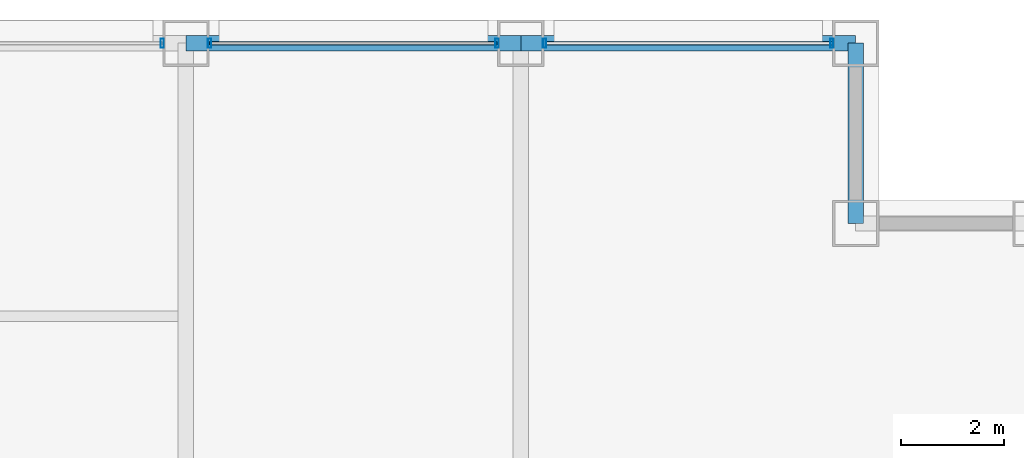
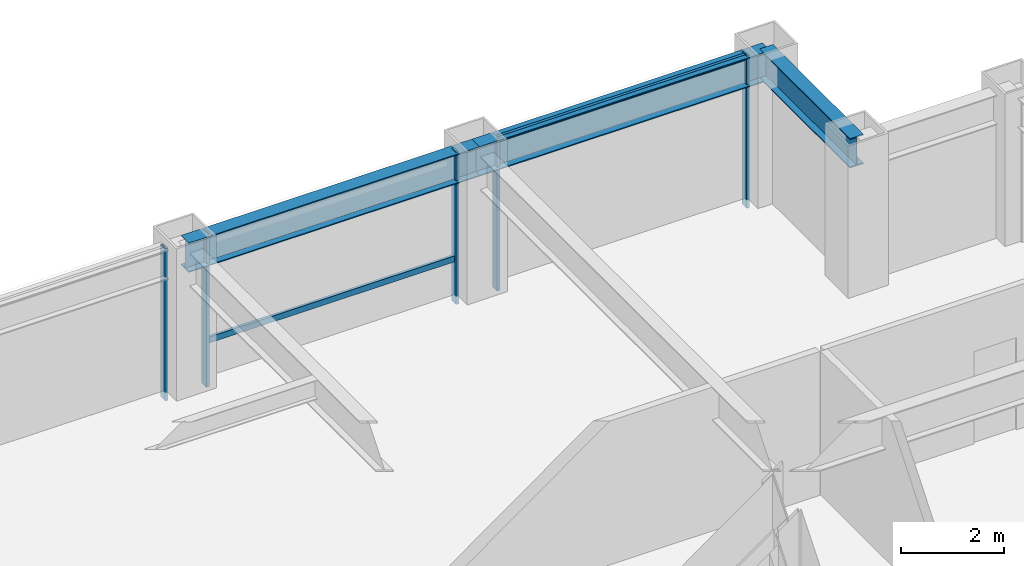
# One storey, part 21 of 29: 7 members, 3 beams, 3 elements without a shape of their own.
"""IFC4 building model written with IfcOpenShell, lengths in metres."""

from ifc_helpers import new_model, si_unit, direction, frame, origin, origin_2d, place, context, subcontext, project, spatial, hollow_rectangle, i_section, extrude, material, layer, layer_set, material_profile, profile_set, type_object, element, aggregate, save


model = new_model("IFC4")

# Units and contexts
model_context = context("Model", 3, precision=1e-05, world=origin(), true_north=direction((0.0, 1.0)))
body_context = subcontext(model_context, "Body", "Model", "MODEL_VIEW")
ifc_project = project(units=[si_unit("LENGTHUNIT", "METRE"), si_unit("AREAUNIT", "SQUARE_METRE"), si_unit("VOLUMEUNIT", "CUBIC_METRE"), si_unit("PLANEANGLEUNIT", "RADIAN"), si_unit("MASSUNIT", "GRAM", prefix="KILO")], contexts=[model_context])

# Site, building, storey
site_placement = place(None, origin())
site = spatial("IfcSite", under=ifc_project, at=site_placement, CompositionType="ELEMENT")
building_placement = place(site_placement, origin())
building = spatial("IfcBuilding", under=site, at=building_placement, Name="Brelmoor Portico Tower", CompositionType="ELEMENT")
storey_placement = place(building_placement, frame((0.0, 0.0, 60.0)))
storey = spatial("IfcBuildingStorey", under=building, at=storey_placement, Name="L15", CompositionType="ELEMENT", Elevation=60.0)

# Beams
ifc_material_1 = material(Name="Steel Q355B", Category="steel")
ifc_material_profile_1 = material_profile(ifc_material_1, i_section(OverallWidth=0.300048828125, OverallDepth=0.699951171875, WebThickness=0.012939453125, FlangeThickness=0.02392578125, at=origin_2d()), Name="HN 700x300x13x24")
ifc_profile_set_1 = profile_set([ifc_material_profile_1], Name="Steel Q355B")
beam_type = type_object("IfcBeamType", Name="BM-SP-700", PredefinedType="SPANDREL", material=ifc_profile_set_1)
for number, where, z_axis, x_axis, name in (
    (1, (8.050048828125, 21.550048828125, 3.050048828125), (1.0, 0.0, 0.0), (0.0, 1.0, 0.0), "L15 Perimeter Spandrel Beam SP-13"),
    (2, (14.550048828125, 21.550048828125, 3.050048828125), (1.0, 0.0, 0.0), (0.0, 1.0, 0.0), "L15 Perimeter Spandrel Beam SP-14"),
):
    element("IfcBeam", number, at=place(storey_placement, frame(where, z_axis=z_axis, x_axis=x_axis)), inside=storey, type_object=beam_type, Name=name, PredefinedType="SPANDREL", context=body_context, shape_type="SweptSolid", body=[
        extrude(i_section(OverallWidth=0.300048828125, OverallDepth=0.699951171875, WebThickness=0.012939453125, FlangeThickness=0.02392578125, at=origin_2d()), origin(), (0.0, 0.0, 1.0), 6.5),
    ])
beam_placement = place(storey_placement, frame((21.050048828125, 18.050048828125, 3.050048828125), z_axis=(0.0, 1.0, 0.0), x_axis=(-1.0, 0.0, 0.0)))
element("IfcBeam", 3, at=beam_placement, inside=storey, type_object=beam_type, Name="L15 Perimeter Spandrel Beam SP-21", PredefinedType="SPANDREL", context=body_context, shape_type="SweptSolid", body=[
    extrude(i_section(OverallWidth=0.300048828125, OverallDepth=0.699951171875, WebThickness=0.012939453125, FlangeThickness=0.02392578125, at=origin_2d()), origin(), (0.0, 0.0, 1.0), 3.5),
])

# Curtain wall, member
ifc_material_2 = material(Name="Anodised Aluminium Alloy 6063-T6", Category="aluminium")
ifc_layer_1 = layer(ifc_material_2, 0.179931640625)
ifc_layer_set_1 = layer_set([ifc_layer_1], Name="Anodised Aluminium Alloy 6063-T6")
curtain_wall_type_1 = type_object("IfcCurtainWallType", Name="CW-TOWER-Z1-XB", PredefinedType="NOTDEFINED", material=ifc_layer_set_1)
curtain_wall_1_placement = place(storey_placement, origin())
curtain_wall_1 = element("IfcCurtainWall", 4, at=curtain_wall_1_placement, inside=storey, type_object=curtain_wall_type_1, Name="L15 Curtain Wall CW-L15-02-3", PredefinedType="NOTDEFINED")
ifc_material_profile_2 = material_profile(ifc_material_2, hollow_rectangle(XDim=0.06494140625, YDim=0.179931640625, WallThickness=0.00390625, at=origin_2d()), Name="ALU MULLION 65x180")
ifc_profile_set_2 = profile_set([ifc_material_profile_2], Name="Anodised Aluminium Alloy 6063-T6")
member_type_1 = type_object("IfcMemberType", Name="MB-CW-MULL-180", PredefinedType="MULLION", material=ifc_profile_set_2)
member_1_placement = place(storey_placement, frame((7.590087890625, 21.550048828125, -0.199951171875), z_axis=(0.0, 0.0, 1.0), x_axis=(1.0, 0.0, 0.0)))
member_1 = element("IfcMember", 5, at=member_1_placement, type_object=member_type_1, Name="CW-L15-02-3 Mullion 01", PredefinedType="MULLION", context=body_context, shape_type="SweptSolid", body=[
    extrude(hollow_rectangle(XDim=0.06494140625, YDim=0.179931640625, WallThickness=0.00390625, at=origin_2d()), origin(), (0.0, 0.0, 1.0), 3.599853515625),
])
aggregate(curtain_wall_1, [member_1])

# Curtain wall, members
ifc_layer_2 = layer(ifc_material_2, 0.179931640625)
ifc_layer_set_2 = layer_set([ifc_layer_2], Name="Anodised Aluminium Alloy 6063-T6")
curtain_wall_type_2 = type_object("IfcCurtainWallType", Name="CW-TOWER-Z1", PredefinedType="NOTDEFINED", material=ifc_layer_set_2)
curtain_wall_2_placement = place(storey_placement, origin())
curtain_wall_2 = element("IfcCurtainWall", 6, at=curtain_wall_2_placement, inside=storey, type_object=curtain_wall_type_2, Name="L15 Curtain Wall CW-L15-02-4", PredefinedType="NOTDEFINED")
member_2_placement = place(storey_placement, frame((8.510009765625, 21.550048828125, -0.199951171875), z_axis=(0.0, 0.0, 1.0), x_axis=(1.0, 0.0, 0.0)))
member_2 = element("IfcMember", 7, at=member_2_placement, type_object=member_type_1, Name="CW-L15-02-4 Mullion 00", PredefinedType="MULLION", context=body_context, shape_type="SweptSolid", body=[
    extrude(hollow_rectangle(XDim=0.06494140625, YDim=0.179931640625, WallThickness=0.00390625, at=origin_2d()), origin(), (0.0, 0.0, 1.0), 3.599853515625),
])
member_3_placement = place(storey_placement, frame((14.090087890625, 21.550048828125, -0.199951171875), z_axis=(0.0, 0.0, 1.0), x_axis=(1.0, 0.0, 0.0)))
member_3 = element("IfcMember", 8, at=member_3_placement, type_object=member_type_1, Name="CW-L15-02-4 Mullion 01", PredefinedType="MULLION", context=body_context, shape_type="SweptSolid", body=[
    extrude(hollow_rectangle(XDim=0.06494140625, YDim=0.179931640625, WallThickness=0.00390625, at=origin_2d()), origin(), (0.0, 0.0, 1.0), 3.599853515625),
])

curtain_wall_3_placement = place(storey_placement, origin())
curtain_wall_3 = element("IfcCurtainWall", 9, at=curtain_wall_3_placement, inside=storey, type_object=curtain_wall_type_1, Name="L15 Curtain Wall CW-L15-02-5", PredefinedType="NOTDEFINED")
member_4_placement = place(storey_placement, frame((15.010009765625, 21.550048828125, -0.199951171875), z_axis=(0.0, 0.0, 1.0), x_axis=(1.0, 0.0, 0.0)))
member_4 = element("IfcMember", 10, at=member_4_placement, type_object=member_type_1, Name="CW-L15-02-5 Mullion 00", PredefinedType="MULLION", context=body_context, shape_type="SweptSolid", body=[
    extrude(hollow_rectangle(XDim=0.06494140625, YDim=0.179931640625, WallThickness=0.00390625, at=origin_2d()), origin(), (0.0, 0.0, 1.0), 3.599853515625),
])
member_5_placement = place(storey_placement, frame((20.590087890625, 21.550048828125, -0.199951171875), z_axis=(0.0, 0.0, 1.0), x_axis=(1.0, 0.0, 0.0)))
member_5 = element("IfcMember", 11, at=member_5_placement, type_object=member_type_1, Name="CW-L15-02-5 Mullion 01", PredefinedType="MULLION", context=body_context, shape_type="SweptSolid", body=[
    extrude(hollow_rectangle(XDim=0.06494140625, YDim=0.179931640625, WallThickness=0.00390625, at=origin_2d()), origin(), (0.0, 0.0, 1.0), 3.599853515625),
])

# Member
ifc_material_profile_3 = material_profile(ifc_material_2, hollow_rectangle(XDim=0.06494140625, YDim=0.139892578125, WallThickness=0.00390625, at=origin_2d()), Name="ALU TRANSOM 65x140")
ifc_profile_set_3 = profile_set([ifc_material_profile_3], Name="Anodised Aluminium Alloy 6063-T6")
member_type_2 = type_object("IfcMemberType", Name="MB-CW-TRAN-140", PredefinedType="USERDEFINED", material=ifc_profile_set_3)
member_6_placement = place(storey_placement, frame((8.510009765625, 21.550048828125, 0.85009765625), z_axis=(1.0, 0.0, 0.0), x_axis=(0.0, 1.0, 0.0)))
member_6 = element("IfcMember", 12, at=member_6_placement, type_object=member_type_2, Name="CW-L15-02-4 Transom 1-00", ObjectType="TRANSOM", PredefinedType="USERDEFINED", context=body_context, shape_type="SweptSolid", body=[
    extrude(hollow_rectangle(XDim=0.06494140625, YDim=0.139892578125, WallThickness=0.00390625, at=origin_2d()), origin(), (0.0, 0.0, 1.0), 5.580078125),
])

aggregate(curtain_wall_2, [member_2, member_3, member_6])

member_7_placement = place(storey_placement, frame((15.010009765625, 21.550048828125, 3.330078125), z_axis=(1.0, 0.0, 0.0), x_axis=(0.0, 1.0, 0.0)))
member_7 = element("IfcMember", 13, at=member_7_placement, type_object=member_type_2, Name="CW-L15-02-5 Transom 1-00", ObjectType="TRANSOM", PredefinedType="USERDEFINED", context=body_context, shape_type="SweptSolid", body=[
    extrude(hollow_rectangle(XDim=0.06494140625, YDim=0.139892578125, WallThickness=0.00390625, at=origin_2d()), origin(), (0.0, 0.0, 1.0), 5.580078125),
])

aggregate(curtain_wall_3, [member_4, member_5, member_7])

save(model, "model.ifc")
